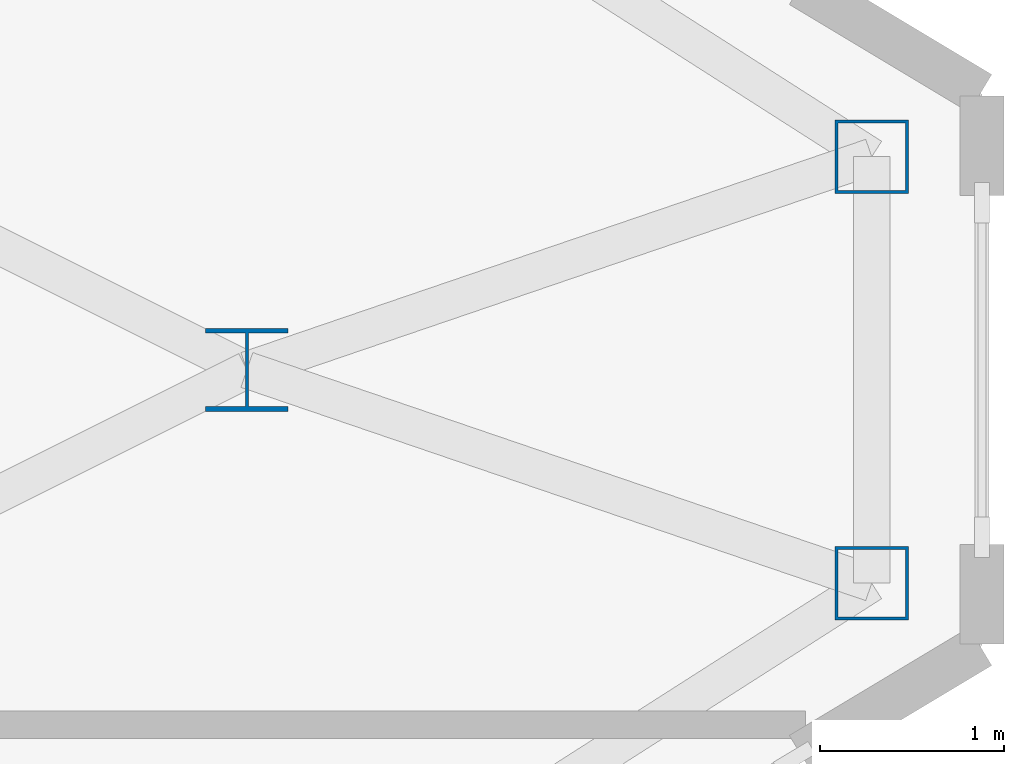
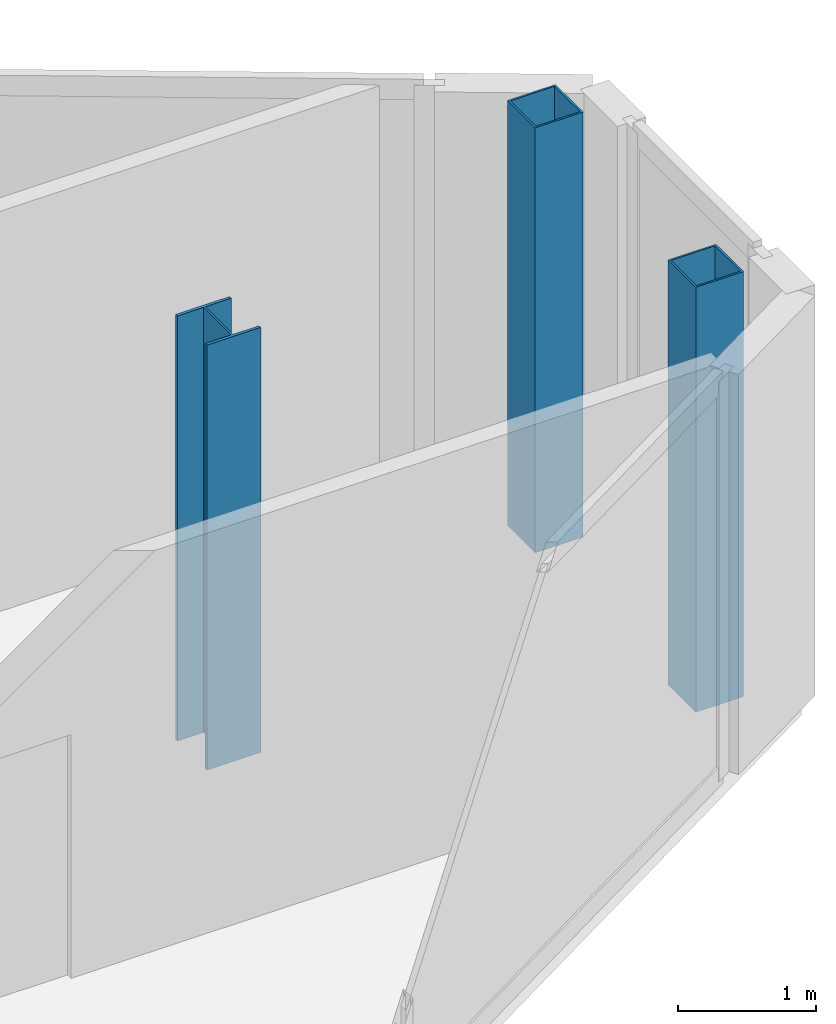
# One storey, part 7 of 29: 3 columns.
"""IFC4 building model written with IfcOpenShell, lengths in metres."""

from ifc_helpers import new_model, si_unit, direction, frame, origin, origin_2d, place, context, subcontext, project, spatial, hollow_rectangle, i_section, extrude, source, transform, mapped, material, material_profile, profile_set, type_object, type_shapes, element, save


model = new_model("IFC4")

# Units and contexts
model_context = context("Model", 3, precision=1e-05, world=origin(), true_north=direction((0.0, 1.0)))
body_context = subcontext(model_context, "Body", "Model", "MODEL_VIEW")
ifc_project = project(units=[si_unit("LENGTHUNIT", "METRE"), si_unit("AREAUNIT", "SQUARE_METRE"), si_unit("VOLUMEUNIT", "CUBIC_METRE"), si_unit("PLANEANGLEUNIT", "RADIAN"), si_unit("MASSUNIT", "GRAM", prefix="KILO")], contexts=[model_context])

# Site, building, storey
site_placement = place(None, origin())
site = spatial("IfcSite", under=ifc_project, at=site_placement, CompositionType="ELEMENT")
building_placement = place(site_placement, origin())
building = spatial("IfcBuilding", under=site, at=building_placement, Name="Seokmaru Belvedere", CompositionType="ELEMENT")
storey_placement = place(building_placement, frame((0.0, 0.0, 239.39990234375)))
storey = spatial("IfcBuildingStorey", under=building, at=storey_placement, Name="L63", CompositionType="ELEMENT", Elevation=239.39990234375)

# Columns
ifc_material = material(Name="Steel SM355 (355 MPa)", Category="steel")
ifc_material_profile_1 = material_profile(ifc_material, i_section(OverallWidth=0.449951171875, OverallDepth=0.449951171875, WebThickness=0.01611328125, FlangeThickness=0.02490234375, at=origin_2d()), Name="H-450x450x16x25")
ifc_profile_set_1 = profile_set([ifc_material_profile_1], Name="Steel SM355 (355 MPa)")
column_type_1 = type_object("IfcColumnType", Name="Sky-Gate Column H-450", PredefinedType="COLUMN", material=ifc_profile_set_1)
shared_shape_1 = source(origin(), body_context, "Body", "SweptSolid", [
    extrude(i_section(OverallWidth=0.449951171875, OverallDepth=0.449951171875, WebThickness=0.01611328125, FlangeThickness=0.02490234375, at=origin_2d()), origin(), (0.0, 0.0, 1.0), 3.75),
])
type_shapes(column_type_1, [shared_shape_1])
column_placement = place(storey_placement, frame((63.5, 0.0, 0.0), z_axis=(0.0, 0.0, 1.0), x_axis=(1.0, 0.0, 0.0)))
element("IfcColumn", 1, at=column_placement, inside=storey, type_object=column_type_1, Name="L63 Column EG3P_1", PredefinedType="COLUMN", context=body_context, shape_type="MappedRepresentation", body=[
    mapped(shared_shape_1, transform((0.0, 0.0, 0.0), scale=1.0)),
])
ifc_material_profile_2 = material_profile(ifc_material, hollow_rectangle(XDim=0.39990234375, YDim=0.39990234375, WallThickness=0.01611328125, at=origin_2d()), Name="HSS-400x400x16")
ifc_profile_set_2 = profile_set([ifc_material_profile_2], Name="Steel SM355 (355 MPa)")
column_type_2 = type_object("IfcColumnType", Name="Perimeter Facet Column HSS-400", PredefinedType="COLUMN", material=ifc_profile_set_2)
shared_shape_2 = source(origin(), body_context, "Body", "SweptSolid", [
    extrude(hollow_rectangle(XDim=0.39990234375, YDim=0.39990234375, WallThickness=0.01611328125, at=origin_2d()), origin(), (0.0, 0.0, 1.0), 3.75),
])
type_shapes(column_type_2, [shared_shape_2])
for number, where, z_axis, x_axis, name in (
    (2, (66.89990234375, -1.160400390625, 0.0), (0.0, 0.0, 1.0), (1.0, 0.0, 0.0), "L63 Column EF2"),
    (3, (66.89990234375, 1.160400390625, 0.0), (0.0, 0.0, 1.0), (1.0, 0.0, 0.0), "L63 Column EF3"),
):
    element("IfcColumn", number, at=place(storey_placement, frame(where, z_axis=z_axis, x_axis=x_axis)), inside=storey, type_object=column_type_2, Name=name, PredefinedType="COLUMN", context=body_context, shape_type="MappedRepresentation", body=[
        mapped(shared_shape_2, transform((0.0, 0.0, 0.0), scale=1.0)),
    ])

save(model, "model.ifc")
